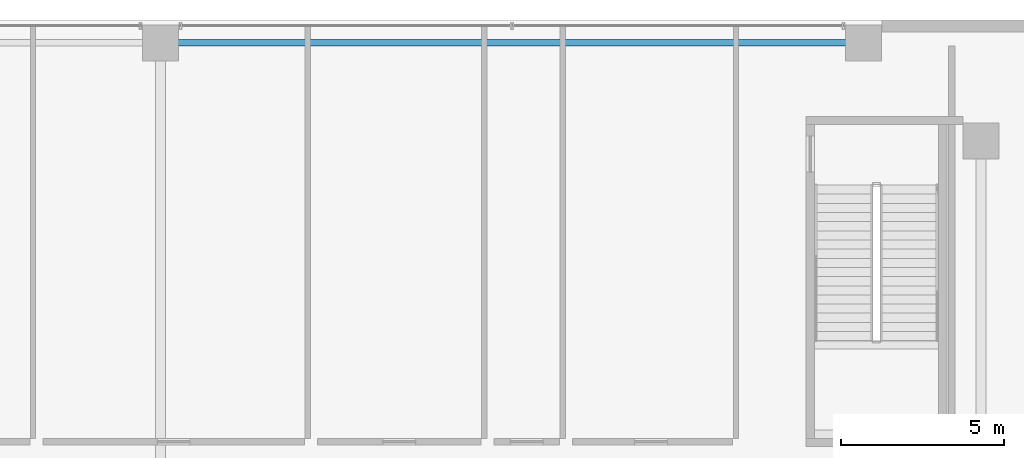
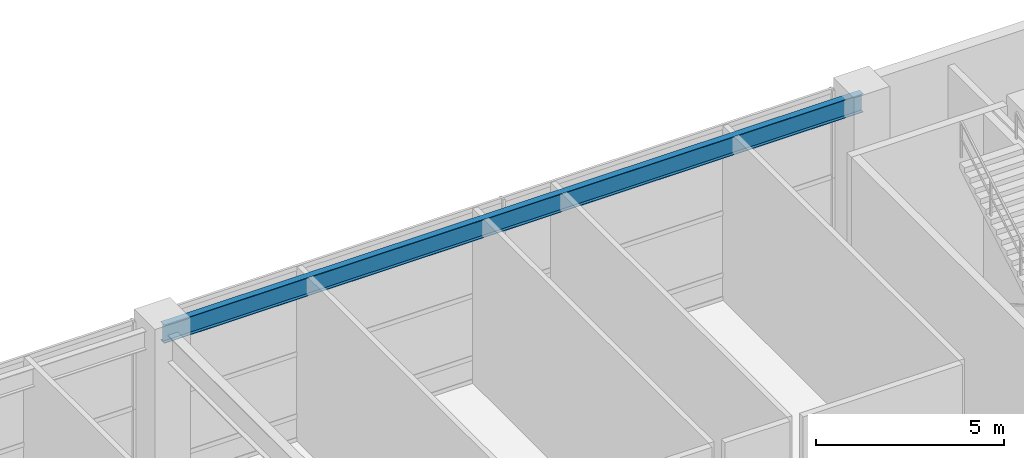
# One storey, part 24 of 39: 1 beam.
"""IFC4 building model written with IfcOpenShell, lengths in metres."""

import ifcopenshell
import ifcopenshell.guid

model = None  # the IFC model being written
_history = None  # IfcOwnerHistory: only IFC2X3 demands one
_inside = {}  # id of a spatial element -> (the spatial element, [elements in it])
_under = {}  # id of a project, library or spatial element -> (it, [spatial elements below it])
_declared = {}  # id of a project -> (the project, [libraries it declares])
_typed = {}  # id of a type object -> (the type object, [elements of that type])
_made_of = {}  # id of a material, layer set ... -> (it, [elements and type objects made of it])


def new_model(schema):
    """Start an empty IFC model of exactly this schema.

    Asked for "IFC4X3", IfcOpenShell would pick the latest addendum, in which some entities
    have other attributes; the version numbers below select the first issue.
    IFC2X3 requires an IfcOwnerHistory on every rooted entity: one is made here for all.
    """
    global model, _history
    if schema == "IFC4X3":
        model = ifcopenshell.file(schema_version=(4, 3, 0, 0))
    else:
        model = ifcopenshell.file(schema=schema)
    _inside.clear()
    _under.clear()
    _declared.clear()
    _typed.clear()
    _made_of.clear()
    _history = None
    if model.schema == "IFC2X3":
        org = make("IfcOrganization", Name="unknown")
        user = make(
            "IfcPersonAndOrganization",
            ThePerson=make("IfcPerson", FamilyName="unknown"),
            TheOrganization=org,
        )
        app = make(
            "IfcApplication",
            ApplicationDeveloper=org,
            Version="unknown",
            ApplicationFullName="unknown",
            ApplicationIdentifier="unknown",
        )
        _history = make(
            "IfcOwnerHistory",
            OwningUser=user,
            OwningApplication=app,
            ChangeAction="ADDED",
            CreationDate=0,
        )
    return model


def make(cls, **values):
    """One entity of the class cls with the attributes given. An attribute that is None is left unset."""
    return model.create_entity(
        cls, **{name: value for name, value in values.items() if value is not None}
    )


def rooted(cls, **values):
    """An entity with a GlobalId (a new one), such as an element, a storey or a relation."""
    return make(cls, GlobalId=ifcopenshell.guid.new(), OwnerHistory=_history, **values)


def si_unit(unit_type, name, prefix=None):
    """IfcSIUnit, for example si_unit("LENGTHUNIT", "METRE", prefix="MILLI")."""
    return make("IfcSIUnit", UnitType=unit_type, Prefix=prefix, Name=name)


def assignment(units):
    """IfcUnitAssignment: the units of a project."""
    return None if units is None else make("IfcUnitAssignment", Units=units)


def point(xyz):
    """IfcCartesianPoint."""
    return None if xyz is None else make("IfcCartesianPoint", Coordinates=xyz)


def direction(xyz):
    """IfcDirection."""
    return None if xyz is None else make("IfcDirection", DirectionRatios=xyz)


def frame(location, z_axis=None, x_axis=None):
    """IfcAxis2Placement3D, a coordinate frame: its origin and axes. An axis left out is left unset."""
    return make(
        "IfcAxis2Placement3D",
        Location=point(location),
        Axis=direction(z_axis),
        RefDirection=direction(x_axis),
    )


def frame_2d(location, x_axis=None):
    """IfcAxis2Placement2D, a coordinate frame in the plane: its origin and x axis."""
    return make(
        "IfcAxis2Placement2D", Location=point(location), RefDirection=direction(x_axis)
    )


def origin():
    """The frame at (0, 0, 0) with its axes left unset."""
    return frame((0.0, 0.0, 0.0))


def origin_2d():
    """The frame at (0, 0) in the plane with its x axis left unset."""
    return frame_2d((0.0, 0.0))


def place(relative_to, where):
    """IfcLocalPlacement: puts the frame where relative to a parent placement (None: the world)."""
    return make(
        "IfcLocalPlacement", PlacementRelTo=relative_to, RelativePlacement=where
    )


def context(
    kind, dimensions, precision=None, world=None, true_north=None, identifier=None
):
    """IfcGeometricRepresentationContext, for example the 3D "Model" context."""
    return make(
        "IfcGeometricRepresentationContext",
        ContextIdentifier=identifier,
        ContextType=kind,
        CoordinateSpaceDimension=dimensions,
        Precision=precision,
        WorldCoordinateSystem=world,
        TrueNorth=true_north,
    )


def subcontext(parent, identifier, kind, view, scale=None):
    """IfcGeometricRepresentationSubContext, for example "Body" below "Model"."""
    return make(
        "IfcGeometricRepresentationSubContext",
        ContextIdentifier=identifier,
        ContextType=kind,
        ParentContext=parent,
        TargetScale=scale,
        TargetView=view,
    )


def project(units=None, contexts=None):
    """IfcProject with its units and contexts."""
    return rooted(
        "IfcProject",
        Name="project",
        RepresentationContexts=contexts,
        UnitsInContext=assignment(units),
    )


def spatial(cls, under=None, at=None, **own):
    """A site, building, storey or space (cls), placed at a placement, below another one or the project."""
    s = rooted(cls, ObjectPlacement=at, **own)
    if under is not None:
        _under.setdefault(under.id(), (under, []))[1].append(s)
    return s


def profile(cls, at=None, kind="AREA", **sizes):
    """A parametric profile (cls). Its sizes go by their IFC names, for example OverallWidth=200.0."""
    return make(cls, ProfileType=kind, Position=at, **sizes)


def i_section(**sizes):
    """IfcIShapeProfileDef."""
    return profile("IfcIShapeProfileDef", **sizes)


def extrude(swept, where, along, depth):
    """IfcExtrudedAreaSolid: the profile swept, set in the frame where, extruded along a direction by depth."""
    return make(
        "IfcExtrudedAreaSolid",
        SweptArea=swept,
        Position=where,
        ExtrudedDirection=direction(along),
        Depth=depth,
    )


def shape(context_of_items, identifier, shape_type, items):
    """IfcShapeRepresentation: the items that make up one representation, for example the "Body"."""
    return make(
        "IfcShapeRepresentation",
        ContextOfItems=context_of_items,
        RepresentationIdentifier=identifier,
        RepresentationType=shape_type,
        Items=items,
    )


def source(mapping_origin, context_of_items, identifier, shape_type, items):
    """IfcRepresentationMap: a shape defined once, which mapped items show again and again."""
    return make(
        "IfcRepresentationMap",
        MappingOrigin=mapping_origin,
        MappedRepresentation=shape(context_of_items, identifier, shape_type, items),
    )


def transform(
    local_origin,
    x_axis=None,
    y_axis=None,
    z_axis=None,
    scale=None,
    scale2=None,
    scale3=None,
    uniform=True,
):
    """IfcCartesianTransformationOperator3D, or its non-uniform kind. x_axis, y_axis, z_axis: its Axis1, 2, 3."""
    if uniform:
        return make(
            "IfcCartesianTransformationOperator3D",
            Axis1=direction(x_axis),
            Axis2=direction(y_axis),
            LocalOrigin=point(local_origin),
            Scale=scale,
            Axis3=direction(z_axis),
        )
    return make(
        "IfcCartesianTransformationOperator3DnonUniform",
        Axis1=direction(x_axis),
        Axis2=direction(y_axis),
        LocalOrigin=point(local_origin),
        Scale=scale,
        Axis3=direction(z_axis),
        Scale2=scale2,
        Scale3=scale3,
    )


def mapped(mapping_source, mapping_target):
    """IfcMappedItem: shows the shape of a source again, moved by a transform."""
    return make(
        "IfcMappedItem", MappingSource=mapping_source, MappingTarget=mapping_target
    )


def material(Name=None, Category=None):
    """IfcMaterial."""
    return make("IfcMaterial", Name=Name, Category=Category)


def material_profile(
    of_material, cross_section, Name=None, Category=None, Priority=None
):
    """IfcMaterialProfile: a cross section and its material."""
    return make(
        "IfcMaterialProfile",
        Name=Name,
        Material=of_material,
        Profile=cross_section,
        Priority=Priority,
        Category=Category,
    )


def profile_set(profiles, Name=None, composite=None):
    """IfcMaterialProfileSet."""
    return make(
        "IfcMaterialProfileSet",
        Name=Name,
        MaterialProfiles=profiles,
        CompositeProfile=composite,
    )


def made_of(thing, what):
    """Note that an element or type object is made of a material, layer set ...; save() writes the relation."""
    if what is not None:
        _made_of.setdefault(what.id(), (what, []))[1].append(thing)
    return thing


def type_object(cls, material=None, **own):
    """A type object (cls), such as IfcWallType, which elements share."""
    return made_of(rooted(cls, **own), material)


def element(
    cls,
    number,
    at=None,
    inside=None,
    cuts=None,
    type_object=None,
    material=None,
    context=None,
    identifier="Body",
    shape_type=None,
    held_by="IfcProductDefinitionShape",
    body=None,
    shapes=None,
    **own,
):
    """One element of the class cls, such as IfcWall. Its Tag is "e" and its number.

    at: its placement. inside: the storey or other place that contains it. cuts: it is an
    opening in that element (IfcRelVoidsElement). A single representation is given by context,
    identifier, shape_type and body (its items); several are given by shapes. held_by: the class
    of the entity that holds the representations. save() writes the other relations.
    """
    e = rooted(cls, Tag="e%d" % number, ObjectPlacement=at, **own)
    if body is not None:
        shapes = [shape(context, identifier, shape_type, body)]
    if shapes is not None:
        e.Representation = make(held_by, Representations=shapes)
    if inside is not None:
        _inside.setdefault(inside.id(), (inside, []))[1].append(e)
    if cuts is not None:
        rooted(
            "IfcRelVoidsElement", RelatingBuildingElement=cuts, RelatedOpeningElement=e
        )
    if type_object is not None:
        _typed.setdefault(type_object.id(), (type_object, []))[1].append(e)
    return made_of(e, material)


def aggregate(whole, parts):
    """IfcRelAggregates: a whole, such as a stair, and the parts it consists of."""
    return rooted("IfcRelAggregates", RelatingObject=whole, RelatedObjects=parts)


def save(model, path):
    """Write the relations noted so far, then the file.

    IfcRelAggregates (storeys below a building ...), IfcRelContainedInSpatialStructure (elements
    in a storey), IfcRelDefinesByType, IfcRelAssociatesMaterial and IfcRelDeclares: one each for
    every whole, place, type object, material and project.
    """
    for whole, parts in _under.values():
        aggregate(whole, parts)
    for where, things in _inside.values():
        rooted(
            "IfcRelContainedInSpatialStructure",
            RelatedElements=things,
            RelatingStructure=where,
        )
    for kind, things in _typed.values():
        rooted("IfcRelDefinesByType", RelatedObjects=things, RelatingType=kind)
    for what, things in _made_of.values():
        rooted("IfcRelAssociatesMaterial", RelatedObjects=things, RelatingMaterial=what)
    for by, libraries in _declared.values():
        rooted("IfcRelDeclares", RelatingContext=by, RelatedDefinitions=libraries)
    model.write(path)


model = new_model("IFC4")

# Units and contexts
model_context = context("Model", 3, precision=1e-05, world=origin(), true_north=direction((0.0, 1.0)))
body_context = subcontext(model_context, "Body", "Model", "MODEL_VIEW")
ifc_project = project(units=[si_unit("LENGTHUNIT", "METRE"), si_unit("AREAUNIT", "SQUARE_METRE"), si_unit("VOLUMEUNIT", "CUBIC_METRE"), si_unit("PLANEANGLEUNIT", "RADIAN"), si_unit("MASSUNIT", "GRAM", prefix="KILO"), si_unit("THERMODYNAMICTEMPERATUREUNIT", "KELVIN"), si_unit("POWERUNIT", "WATT")], contexts=[model_context])

# Site, building, storey
site_placement = place(None, origin())
site = spatial("IfcSite", under=ifc_project, at=site_placement, CompositionType="ELEMENT")
building_placement = place(site_placement, origin())
building = spatial("IfcBuilding", under=site, at=building_placement, Name="Yuzanri Waterfront Tower", CompositionType="ELEMENT")
storey_placement = place(building_placement, frame((0.0, 0.0, 19.800048828125)))
storey = spatial("IfcBuildingStorey", under=building, at=storey_placement, Name="L05", CompositionType="ELEMENT", Elevation=19.800048828125)

# Beam
ifc_material = material(Name="Steel Q355B", Category="steel")
ifc_material_profile = material_profile(ifc_material, i_section(OverallWidth=0.199951171875, OverallDepth=0.60009765625, WebThickness=0.010986328125, FlangeThickness=0.01708984375, at=origin_2d()), Name="HN 600x200x11x17")
ifc_profile_set = profile_set([ifc_material_profile], Name="Steel Q355B")
beam_type = type_object("IfcBeamType", Name="Perimeter Spandrel Q355B HN 600x200", PredefinedType="SPANDREL", material=ifc_profile_set)
shared_shape = source(origin(), body_context, "Body", "SweptSolid", [
    extrude(i_section(OverallWidth=0.199951171875, OverallDepth=0.60009765625, WebThickness=0.010986328125, FlangeThickness=0.01708984375, at=origin_2d()), origin(), (0.0, 0.0, 1.0), 21.5),
])
beam_placement = place(storey_placement, frame((37.0, 49.10009765625, 5.3798828125), z_axis=(1.0, 0.0, 0.0), x_axis=(0.0, 1.0, 0.0)))
element("IfcBeam", 1, at=beam_placement, inside=storey, type_object=beam_type, Name="L05 North Spandrel 2", PredefinedType="SPANDREL", context=body_context, shape_type="MappedRepresentation", body=[
    mapped(shared_shape, transform((0.0, 0.0, 0.0), scale=1.0)),
])

save(model, "model.ifc")
